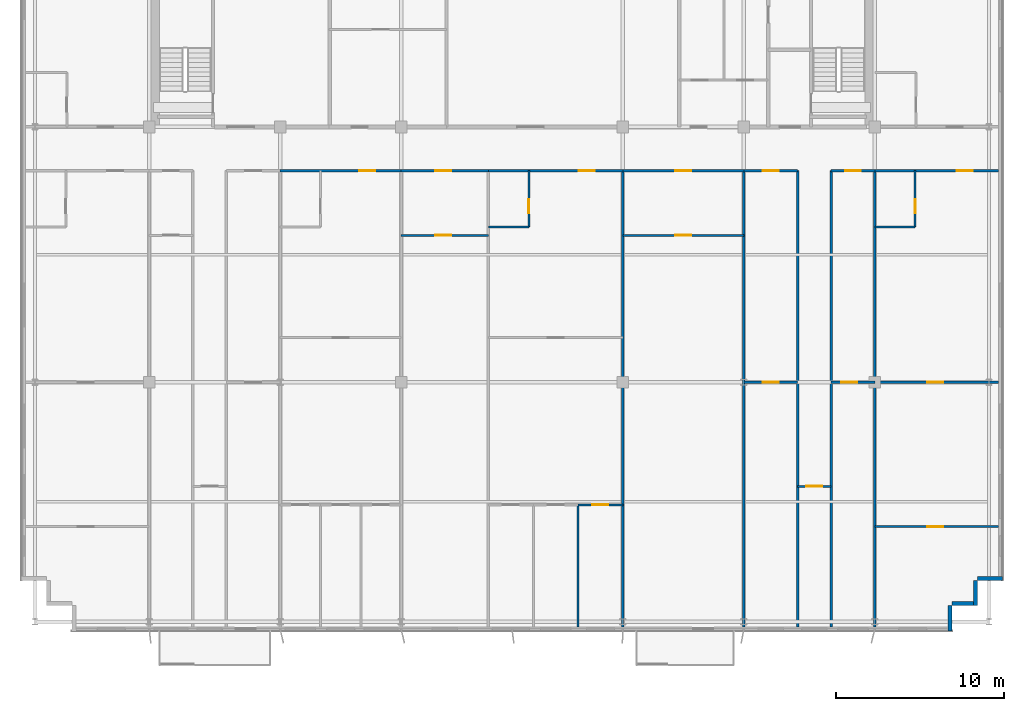
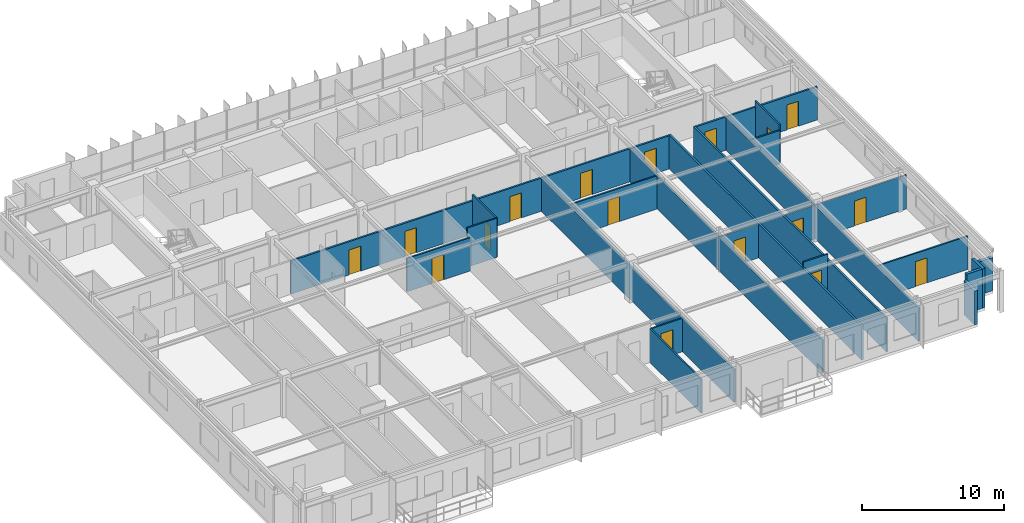
# One storey, part 18 of 23: 29 walls, 17 doors, 17 openings.
"""IFC4 building model written with IfcOpenShell, lengths in metres."""

from ifc_helpers import new_model, si_unit, direction, frame, frame_2d, origin, place, context, subcontext, project, spatial, rectangle, extrude, source, transform, mapped, material, layer, layer_set, type_object, element, fill, save


model = new_model("IFC4")

# Units and contexts
model_context = context("Model", 3, precision=1e-05, world=origin(), true_north=direction((0.0, 1.0)))
body_context = subcontext(model_context, "Body", "Model", "MODEL_VIEW")
ifc_project = project(units=[si_unit("LENGTHUNIT", "METRE"), si_unit("AREAUNIT", "SQUARE_METRE"), si_unit("VOLUMEUNIT", "CUBIC_METRE"), si_unit("PLANEANGLEUNIT", "RADIAN"), si_unit("MASSUNIT", "GRAM", prefix="KILO")], contexts=[model_context])

# Site, building, storey
site_placement = place(None, origin())
site = spatial("IfcSite", under=ifc_project, at=site_placement, CompositionType="ELEMENT")
building_placement = place(site_placement, origin())
building = spatial("IfcBuilding", under=site, at=building_placement, Name="Trelvane Seafront Commons", CompositionType="ELEMENT")
storey_placement = place(building_placement, frame((0.0, 0.0, 208.5)))
storey = spatial("IfcBuildingStorey", under=building, at=storey_placement, Name="L54", CompositionType="ELEMENT", Elevation=208.5)

# Walls
ifc_material_1 = material(Name="Precast concrete C40/50", Category="concrete")
ifc_layer_1 = layer(ifc_material_1, 0.239990234375, Name="ARCH-WALL-EXT240")
ifc_layer_set_1 = layer_set([ifc_layer_1], Name="Precast concrete C40/50")
wall_type_1 = type_object("IfcWallType", Name="ARCH-WALL-EXT240", PredefinedType="SOLIDWALL", material=ifc_layer_set_1)
wall_1_placement = place(storey_placement, frame((66.39990234375, 6.52001953125, 0.0), z_axis=(0.0, 0.0, 1.0), x_axis=(-1.0, 0.0, 0.0)))
element("IfcWall", 1, at=wall_1_placement, inside=storey, type_object=wall_type_1, Name="EW-L54-01093", PredefinedType="SOLIDWALL", context=body_context, shape_type="SweptSolid", body=[
    extrude(rectangle(XDim=1.5, YDim=0.239990234375, at=frame_2d((0.75, 0.0))), origin(), (0.0, 0.0, 1.0), 2.860107421875),
])
for number, where, z_axis, x_axis, name in (
    (2, (64.780029296875, 6.39990234375, 0.0), (0.0, 0.0, 1.0), (0.0, -1.0, 0.0), "EW-L54-01094"),
    (3, (64.89990234375, 5.02001953125, 0.0), (0.0, 0.0, 1.0), (-1.0, 0.0, 0.0), "EW-L54-01095"),
):
    element("IfcWall", number, at=place(storey_placement, frame(where, z_axis=z_axis, x_axis=x_axis)), inside=storey, type_object=wall_type_1, Name=name, PredefinedType="SOLIDWALL", context=body_context, shape_type="SweptSolid", body=[
        extrude(rectangle(XDim=1.5, YDim=0.239990234375, at=frame_2d((0.75, 0.0))), origin(), (0.0, 0.0, 1.0), 3.360107421875),
    ])
wall_2_placement = place(storey_placement, frame((63.280029296875, 4.89990234375, 0.0), z_axis=(0.0, 0.0, 1.0), x_axis=(0.0, -1.0, 0.0)))
element("IfcWall", 4, at=wall_2_placement, inside=storey, type_object=wall_type_1, Name="EW-L54-01096", PredefinedType="SOLIDWALL", context=body_context, shape_type="SweptSolid", body=[
    extrude(rectangle(XDim=1.5, YDim=0.239990234375, at=frame_2d((0.75, 0.0))), origin(), (0.0, 0.0, 1.0), 2.909912109375),
])

# Wall, opening, door
ifc_material_2 = material(Name="Gypsum Drywall Acoustic Partition")
ifc_layer_2 = layer(ifc_material_2, 0.1201171875, Name="ARCH-WALL-PART120")
ifc_layer_set_2 = layer_set([ifc_layer_2], Name="Gypsum Drywall Acoustic Partition")
wall_type_2 = type_object("IfcWallType", Name="ARCH-WALL-PART120", PredefinedType="PARTITIONING", material=ifc_layer_set_2)
wall_3_placement = place(storey_placement, frame((30.60009765625, 26.949951171875, 0.0), z_axis=(0.0, 0.0, 1.0), x_axis=(1.0, 0.0, 0.0)))
wall_3 = element("IfcWall", 5, at=wall_3_placement, inside=storey, type_object=wall_type_2, Name="W-L54-U6-DIV-080", PredefinedType="PARTITIONING", context=body_context, shape_type="SweptSolid", body=[
    extrude(rectangle(XDim=5.199951171875, YDim=0.1201171875, at=frame_2d((2.60009765625, 0.0))), origin(), (0.0, 0.0, 1.0), 2.860107421875),
])
opening_1_placement = place(wall_3_placement, frame((2.032958984375, 0.0, 0.0)))
opening_1 = element("IfcOpeningElement", 6, at=opening_1_placement, cuts=wall_3, Name="Opening D-L54-47", PredefinedType="OPENING", context=body_context, shape_type="SweptSolid", body=[
    extrude(rectangle(XDim=0.949951171875, YDim=2.14990234375, at=frame_2d((0.47509765625, 1.074951171875))), frame((0.0, 0.070068359375, 0.0), z_axis=(0.0, -1.0, 0.0), x_axis=(1.0, 0.0, 0.0)), (0.0, 0.0, 1.0), 0.14013671875),
])
ifc_material_3 = material(Name="Acoustic timber door leaf", Category="wood")
door_type_1 = type_object("IfcDoorType", Name="ARCH-DR-INT950", OperationType="NOTDEFINED", PredefinedType="DOOR", material=ifc_material_3)
shared_shape_1 = source(origin(), body_context, "Body", "SweptSolid", [
    extrude(rectangle(XDim=0.949951171875, YDim=2.14990234375, at=frame_2d((0.47509765625, 1.074951171875))), frame((0.0, 0.02490234375, 0.0), z_axis=(0.0, -1.0, 0.0), x_axis=(1.0, 0.0, 0.0)), (0.0, 0.0, 1.0), 0.050048828125),
])
door_1_placement = place(opening_1_placement, origin())
door_1 = element("IfcDoor", 7, at=door_1_placement, inside=storey, type_object=door_type_1, Name="L54 Door 47", OperationType="SINGLE_SWING_LEFT", OverallHeight=2.14990234375, OverallWidth=0.949951171875, PredefinedType="DOOR", context=body_context, shape_type="MappedRepresentation", body=[
    mapped(shared_shape_1, transform((0.0, 0.0, 0.0), x_axis=(1.0, 0.0, 0.0), y_axis=(0.0, 1.0, 0.0), z_axis=(0.0, 0.0, 1.0), scale=1.0)),
])
fill(opening_1, door_1)

wall_4_placement = place(storey_placement, frame((38.199951171875, 27.449951171875, 0.0), z_axis=(0.0, 0.0, 1.0), x_axis=(0.0, 1.0, 0.0)))
wall_4 = element("IfcWall", 8, at=wall_4_placement, inside=storey, type_object=wall_type_2, Name="W-L54-U7-BE-082", PredefinedType="PARTITIONING", context=body_context, shape_type="SweptSolid", body=[
    extrude(rectangle(XDim=3.35009765625, YDim=0.1201171875, at=frame_2d((1.675048828125, 0.0))), origin(), (0.0, 0.0, 1.0), 3.360107421875),
])
opening_2_placement = place(wall_4_placement, frame((0.800048828125, 0.0, 0.0)))
opening_2 = element("IfcOpeningElement", 9, at=opening_2_placement, cuts=wall_4, Name="Opening D-L54-49", PredefinedType="OPENING", context=body_context, shape_type="SweptSolid", body=[
    extrude(rectangle(XDim=0.85009765625, YDim=2.10009765625, at=frame_2d((0.425048828125, 1.050048828125))), frame((0.0, 0.070068359375, 0.0), z_axis=(0.0, -1.0, 0.0), x_axis=(1.0, 0.0, 0.0)), (0.0, 0.0, 1.0), 0.14013671875),
])
door_type_2 = type_object("IfcDoorType", Name="ARCH-DR-INT850", OperationType="NOTDEFINED", PredefinedType="DOOR", material=ifc_material_3)
shared_shape_2 = source(origin(), body_context, "Body", "SweptSolid", [
    extrude(rectangle(XDim=0.85009765625, YDim=2.10009765625, at=frame_2d((0.425048828125, 1.050048828125))), frame((0.0, 0.02490234375, 0.0), z_axis=(0.0, -1.0, 0.0), x_axis=(1.0, 0.0, 0.0)), (0.0, 0.0, 1.0), 0.050048828125),
])
door_2_placement = place(opening_2_placement, origin())
door_2 = element("IfcDoor", 10, at=door_2_placement, inside=storey, type_object=door_type_2, Name="L54 Door 49", OperationType="SINGLE_SWING_LEFT", OverallHeight=2.10009765625, OverallWidth=0.85009765625, PredefinedType="DOOR", context=body_context, shape_type="MappedRepresentation", body=[
    mapped(shared_shape_2, transform((0.0, 0.0, 0.0), x_axis=(1.0, 0.0, 0.0), y_axis=(0.0, 1.0, 0.0), z_axis=(0.0, 0.0, 1.0), scale=1.0)),
])
fill(opening_2, door_2)

# Wall
wall_5_placement = place(storey_placement, frame((35.800048828125, 27.449951171875, 0.0), z_axis=(0.0, 0.0, 1.0), x_axis=(1.0, 0.0, 0.0)))
element("IfcWall", 11, at=wall_5_placement, inside=storey, type_object=wall_type_2, Name="W-L54-U7-BS-083", PredefinedType="PARTITIONING", context=body_context, shape_type="SweptSolid", body=[
    extrude(rectangle(XDim=2.39990234375, YDim=0.1201171875, at=frame_2d((1.199951171875, 0.0))), origin(), (0.0, 0.0, 1.0), 3.360107421875),
])

# Wall, opening, door
wall_6_placement = place(storey_placement, frame((41.133056640625, 10.89990234375, 0.0), z_axis=(0.0, 0.0, 1.0), x_axis=(1.0, 0.0, 0.0)))
wall_6 = element("IfcWall", 12, at=wall_6_placement, inside=storey, type_object=wall_type_2, Name="W-L54-U7-YM-3-088", PredefinedType="PARTITIONING", context=body_context, shape_type="SweptSolid", body=[
    extrude(rectangle(XDim=2.6669921875, YDim=0.1201171875, at=frame_2d((1.33349609375, 0.0))), origin(), (0.0, 0.0, 1.0), 2.860107421875),
])
opening_3_placement = place(wall_6_placement, frame((0.85791015625, 0.0, 0.0)))
opening_3 = element("IfcOpeningElement", 13, at=opening_3_placement, cuts=wall_6, Name="Opening D-L54-53", PredefinedType="OPENING", context=body_context, shape_type="SweptSolid", body=[
    extrude(rectangle(XDim=0.949951171875, YDim=2.14990234375, at=frame_2d((0.47509765625, 1.074951171875))), frame((0.0, 0.070068359375, 0.0), z_axis=(0.0, -1.0, 0.0), x_axis=(1.0, 0.0, 0.0)), (0.0, 0.0, 1.0), 0.14013671875),
])
door_3_placement = place(opening_3_placement, origin())
door_3 = element("IfcDoor", 14, at=door_3_placement, inside=storey, type_object=door_type_1, Name="L54 Door 53", OperationType="SINGLE_SWING_LEFT", OverallHeight=2.14990234375, OverallWidth=0.949951171875, PredefinedType="DOOR", context=body_context, shape_type="MappedRepresentation", body=[
    mapped(shared_shape_1, transform((0.0, 0.0, 0.0), x_axis=(1.0, 0.0, 0.0), y_axis=(0.0, 1.0, 0.0), z_axis=(0.0, 0.0, 1.0), scale=1.0)),
])
fill(opening_3, door_3)

# Wall
wall_7_placement = place(storey_placement, frame((41.133056640625, 3.625, 0.0), z_axis=(0.0, 0.0, 1.0), x_axis=(0.0, 1.0, 0.0)))
element("IfcWall", 15, at=wall_7_placement, inside=storey, type_object=wall_type_2, Name="W-L54-U7-BDV-2-089", PredefinedType="PARTITIONING", context=body_context, shape_type="SweptSolid", body=[
    extrude(rectangle(XDim=7.27490234375, YDim=0.1201171875, at=frame_2d((3.637451171875, 0.0))), origin(), (0.0, 0.0, 1.0), 2.909912109375),
])

# Wall, opening, door
wall_8_placement = place(storey_placement, frame((43.800048828125, 26.949951171875, 0.0), z_axis=(0.0, 0.0, 1.0), x_axis=(1.0, 0.0, 0.0)))
wall_8 = element("IfcWall", 16, at=wall_8_placement, inside=storey, type_object=wall_type_2, Name="W-L54-U8-DIV-091", PredefinedType="PARTITIONING", context=body_context, shape_type="SweptSolid", body=[
    extrude(rectangle(XDim=7.199951171875, YDim=0.1201171875, at=frame_2d((3.60009765625, 0.0))), origin(), (0.0, 0.0, 1.0), 2.860107421875),
])
opening_4_placement = place(wall_8_placement, frame((3.125, 0.0, 0.0)))
opening_4 = element("IfcOpeningElement", 17, at=opening_4_placement, cuts=wall_8, Name="Opening D-L54-55", PredefinedType="OPENING", context=body_context, shape_type="SweptSolid", body=[
    extrude(rectangle(XDim=0.949951171875, YDim=2.14990234375, at=frame_2d((0.47509765625, 1.074951171875))), frame((0.0, 0.070068359375, 0.0), z_axis=(0.0, -1.0, 0.0), x_axis=(1.0, 0.0, 0.0)), (0.0, 0.0, 1.0), 0.14013671875),
])
door_4_placement = place(opening_4_placement, origin())
door_4 = element("IfcDoor", 18, at=door_4_placement, inside=storey, type_object=door_type_1, Name="L54 Door 55", OperationType="SINGLE_SWING_LEFT", OverallHeight=2.14990234375, OverallWidth=0.949951171875, PredefinedType="DOOR", context=body_context, shape_type="MappedRepresentation", body=[
    mapped(shared_shape_1, transform((0.0, 0.0, 0.0), x_axis=(1.0, 0.0, 0.0), y_axis=(0.0, 1.0, 0.0), z_axis=(0.0, 0.0, 1.0), scale=1.0)),
])
fill(opening_4, door_4)

wall_9_placement = place(storey_placement, frame((51.0, 18.199951171875, 0.0), z_axis=(0.0, 0.0, 1.0), x_axis=(1.0, 0.0, 0.0)))
wall_9 = element("IfcWall", 19, at=wall_9_placement, inside=storey, type_object=wall_type_2, Name="W-L54-U9-DIV-093", PredefinedType="PARTITIONING", context=body_context, shape_type="SweptSolid", body=[
    extrude(rectangle(XDim=3.199951171875, YDim=0.1201171875, at=frame_2d((1.60009765625, 0.0))), origin(), (0.0, 0.0, 1.0), 2.909912109375),
])
opening_5_placement = place(wall_9_placement, frame((1.125, 0.0, 0.0)))
opening_5 = element("IfcOpeningElement", 20, at=opening_5_placement, cuts=wall_9, Name="Opening D-L54-57", PredefinedType="OPENING", context=body_context, shape_type="SweptSolid", body=[
    extrude(rectangle(XDim=0.949951171875, YDim=2.14990234375, at=frame_2d((0.47509765625, 1.074951171875))), frame((0.0, 0.070068359375, 0.0), z_axis=(0.0, -1.0, 0.0), x_axis=(1.0, 0.0, 0.0)), (0.0, 0.0, 1.0), 0.14013671875),
])
door_5_placement = place(opening_5_placement, origin())
door_5 = element("IfcDoor", 21, at=door_5_placement, inside=storey, type_object=door_type_1, Name="L54 Door 57", OperationType="SINGLE_SWING_LEFT", OverallHeight=2.14990234375, OverallWidth=0.949951171875, PredefinedType="DOOR", context=body_context, shape_type="MappedRepresentation", body=[
    mapped(shared_shape_1, transform((0.0, 0.0, 0.0), x_axis=(1.0, 0.0, 0.0), y_axis=(0.0, 1.0, 0.0), z_axis=(0.0, 0.0, 1.0), scale=1.0)),
])
fill(opening_5, door_5)

wall_10_placement = place(storey_placement, frame((54.199951171875, 12.0, 0.0), z_axis=(0.0, 0.0, 1.0), x_axis=(1.0, 0.0, 0.0)))
wall_10 = element("IfcWall", 22, at=wall_10_placement, inside=storey, type_object=wall_type_2, Name="W-L54-ARM-END-10-096", PredefinedType="PARTITIONING", context=body_context, shape_type="SweptSolid", body=[
    extrude(rectangle(XDim=2.0, YDim=0.1201171875, at=frame_2d((1.0, 0.0))), origin(), (0.0, 0.0, 1.0), 3.360107421875),
])
opening_6_placement = place(wall_10_placement, frame((0.52001953125, 0.0, 0.0)))
opening_6 = element("IfcOpeningElement", 23, at=opening_6_placement, cuts=wall_10, Name="Opening D-L54-58", PredefinedType="OPENING", context=body_context, shape_type="SweptSolid", body=[
    extrude(rectangle(XDim=0.949951171875, YDim=2.14990234375, at=frame_2d((0.47509765625, 1.074951171875))), frame((0.0, 0.070068359375, 0.0), z_axis=(0.0, -1.0, 0.0), x_axis=(1.0, 0.0, 0.0)), (0.0, 0.0, 1.0), 0.14013671875),
])
door_6_placement = place(opening_6_placement, origin())
door_6 = element("IfcDoor", 24, at=door_6_placement, inside=storey, type_object=door_type_1, Name="L54 Door 58", OperationType="SINGLE_SWING_RIGHT", OverallHeight=2.14990234375, OverallWidth=0.949951171875, PredefinedType="DOOR", context=body_context, shape_type="MappedRepresentation", body=[
    mapped(shared_shape_1, transform((0.0, 0.0, 0.0), x_axis=(1.0, 0.0, 0.0), y_axis=(0.0, 1.0, 0.0), z_axis=(0.0, 0.0, 1.0), scale=1.0)),
])
fill(opening_6, door_6)

wall_11_placement = place(storey_placement, frame((56.199951171875, 18.199951171875, 0.0), z_axis=(0.0, 0.0, 1.0), x_axis=(1.0, 0.0, 0.0)))
wall_11 = element("IfcWall", 25, at=wall_11_placement, inside=storey, type_object=wall_type_2, Name="W-L54-U11-DIV-098", PredefinedType="PARTITIONING", context=body_context, shape_type="SweptSolid", body=[
    extrude(rectangle(XDim=2.60009765625, YDim=0.1201171875, at=frame_2d((1.300048828125, 0.0))), origin(), (0.0, 0.0, 1.0), 2.909912109375),
])
opening_7_placement = place(wall_11_placement, frame((0.60205078125, 0.0, 0.0)))
opening_7 = element("IfcOpeningElement", 26, at=opening_7_placement, cuts=wall_11, Name="Opening D-L54-60", PredefinedType="OPENING", context=body_context, shape_type="SweptSolid", body=[
    extrude(rectangle(XDim=0.949951171875, YDim=2.14990234375, at=frame_2d((0.47509765625, 1.074951171875))), frame((0.0, 0.070068359375, 0.0), z_axis=(0.0, -1.0, 0.0), x_axis=(1.0, 0.0, 0.0)), (0.0, 0.0, 1.0), 0.14013671875),
])
door_7_placement = place(opening_7_placement, origin())
door_7 = element("IfcDoor", 27, at=door_7_placement, inside=storey, type_object=door_type_1, Name="L54 Door 60", OperationType="SINGLE_SWING_RIGHT", OverallHeight=2.14990234375, OverallWidth=0.949951171875, PredefinedType="DOOR", context=body_context, shape_type="MappedRepresentation", body=[
    mapped(shared_shape_1, transform((0.0, 0.0, 0.0), x_axis=(1.0, 0.0, 0.0), y_axis=(0.0, 1.0, 0.0), z_axis=(0.0, 0.0, 1.0), scale=1.0)),
])
fill(opening_7, door_7)

wall_12_placement = place(storey_placement, frame((58.800048828125, 18.199951171875, 0.0), z_axis=(0.0, 0.0, 1.0), x_axis=(1.0, 0.0, 0.0)))
wall_12 = element("IfcWall", 28, at=wall_12_placement, inside=storey, type_object=wall_type_2, Name="W-L54-U12-KL-099", PredefinedType="PARTITIONING", context=body_context, shape_type="SweptSolid", body=[
    extrude(rectangle(XDim=7.35986328125, YDim=0.1201171875, at=frame_2d((3.679931640625, 0.0))), origin(), (0.0, 0.0, 1.0), 2.909912109375),
])
opening_8_placement = place(wall_12_placement, frame((3.114013671875, 0.0, 0.0)))
opening_8 = element("IfcOpeningElement", 29, at=opening_8_placement, cuts=wall_12, Name="Opening D-L54-61", PredefinedType="OPENING", context=body_context, shape_type="SweptSolid", body=[
    extrude(rectangle(XDim=0.949951171875, YDim=2.14990234375, at=frame_2d((0.47509765625, 1.074951171875))), frame((0.0, 0.070068359375, 0.0), z_axis=(0.0, -1.0, 0.0), x_axis=(1.0, 0.0, 0.0)), (0.0, 0.0, 1.0), 0.14013671875),
])
door_8_placement = place(opening_8_placement, origin())
door_8 = element("IfcDoor", 30, at=door_8_placement, inside=storey, type_object=door_type_1, Name="L54 Door 61", OperationType="SINGLE_SWING_LEFT", OverallHeight=2.14990234375, OverallWidth=0.949951171875, PredefinedType="DOOR", context=body_context, shape_type="MappedRepresentation", body=[
    mapped(shared_shape_1, transform((0.0, 0.0, 0.0), x_axis=(1.0, 0.0, 0.0), y_axis=(0.0, 1.0, 0.0), z_axis=(0.0, 0.0, 1.0), scale=1.0)),
])
fill(opening_8, door_8)

wall_13_placement = place(storey_placement, frame((61.199951171875, 27.449951171875, 0.0), z_axis=(0.0, 0.0, 1.0), x_axis=(0.0, 1.0, 0.0)))
wall_13 = element("IfcWall", 31, at=wall_13_placement, inside=storey, type_object=wall_type_2, Name="W-L54-U12-BE-100", PredefinedType="PARTITIONING", context=body_context, shape_type="SweptSolid", body=[
    extrude(rectangle(XDim=3.35009765625, YDim=0.1201171875, at=frame_2d((1.675048828125, 0.0))), origin(), (0.0, 0.0, 1.0), 3.360107421875),
])
opening_9_placement = place(wall_13_placement, frame((0.800048828125, 0.0, 0.0)))
opening_9 = element("IfcOpeningElement", 32, at=opening_9_placement, cuts=wall_13, Name="Opening D-L54-62", PredefinedType="OPENING", context=body_context, shape_type="SweptSolid", body=[
    extrude(rectangle(XDim=0.85009765625, YDim=2.10009765625, at=frame_2d((0.425048828125, 1.050048828125))), frame((0.0, 0.070068359375, 0.0), z_axis=(0.0, -1.0, 0.0), x_axis=(1.0, 0.0, 0.0)), (0.0, 0.0, 1.0), 0.14013671875),
])
door_9_placement = place(opening_9_placement, origin())
door_9 = element("IfcDoor", 33, at=door_9_placement, inside=storey, type_object=door_type_2, Name="L54 Door 62", OperationType="SINGLE_SWING_RIGHT", OverallHeight=2.10009765625, OverallWidth=0.85009765625, PredefinedType="DOOR", context=body_context, shape_type="MappedRepresentation", body=[
    mapped(shared_shape_2, transform((0.0, 0.0, 0.0), x_axis=(1.0, 0.0, 0.0), y_axis=(0.0, 1.0, 0.0), z_axis=(0.0, 0.0, 1.0), scale=1.0)),
])
fill(opening_9, door_9)

# Wall
wall_14_placement = place(storey_placement, frame((58.800048828125, 27.449951171875, 0.0), z_axis=(0.0, 0.0, 1.0), x_axis=(1.0, 0.0, 0.0)))
element("IfcWall", 34, at=wall_14_placement, inside=storey, type_object=wall_type_2, Name="W-L54-U12-BS-101", PredefinedType="PARTITIONING", context=body_context, shape_type="SweptSolid", body=[
    extrude(rectangle(XDim=2.39990234375, YDim=0.1201171875, at=frame_2d((1.199951171875, 0.0))), origin(), (0.0, 0.0, 1.0), 2.860107421875),
])

# Wall, opening, door
wall_15_placement = place(storey_placement, frame((58.800048828125, 9.60009765625, 0.0), z_axis=(0.0, 0.0, 1.0), x_axis=(1.0, 0.0, 0.0)))
wall_15 = element("IfcWall", 35, at=wall_15_placement, inside=storey, type_object=wall_type_2, Name="W-L54-U12-YM-1-103", PredefinedType="PARTITIONING", context=body_context, shape_type="SweptSolid", body=[
    extrude(rectangle(XDim=7.35986328125, YDim=0.1201171875, at=frame_2d((3.679931640625, 0.0))), origin(), (0.0, 0.0, 1.0), 2.860107421875),
])
opening_10_placement = place(wall_15_placement, frame((3.114013671875, 0.0, 0.0)))
opening_10 = element("IfcOpeningElement", 36, at=opening_10_placement, cuts=wall_15, Name="Opening D-L54-64", PredefinedType="OPENING", context=body_context, shape_type="SweptSolid", body=[
    extrude(rectangle(XDim=0.949951171875, YDim=2.14990234375, at=frame_2d((0.47509765625, 1.074951171875))), frame((0.0, 0.070068359375, 0.0), z_axis=(0.0, -1.0, 0.0), x_axis=(1.0, 0.0, 0.0)), (0.0, 0.0, 1.0), 0.14013671875),
])
door_10_placement = place(opening_10_placement, origin())
door_10 = element("IfcDoor", 37, at=door_10_placement, inside=storey, type_object=door_type_1, Name="L54 Door 64", OperationType="SINGLE_SWING_RIGHT", OverallHeight=2.14990234375, OverallWidth=0.949951171875, PredefinedType="DOOR", context=body_context, shape_type="MappedRepresentation", body=[
    mapped(shared_shape_1, transform((0.0, 0.0, 0.0), x_axis=(1.0, 0.0, 0.0), y_axis=(0.0, 1.0, 0.0), z_axis=(0.0, 0.0, 1.0), scale=1.0)),
])
fill(opening_10, door_10)

# Walls
ifc_layer_3 = layer(ifc_material_2, 0.14990234375, Name="ARCH-WALL-PART150")
ifc_layer_set_3 = layer_set([ifc_layer_3], Name="Gypsum Drywall Acoustic Partition")
wall_type_3 = type_object("IfcWallType", Name="ARCH-WALL-PART150", PredefinedType="PARTITIONING", material=ifc_layer_set_3)
for number, where, z_axis, x_axis, name in (
    (38, (43.800048828125, 3.625, 0.0), (0.0, 0.0, 1.0), (0.0, 1.0, 0.0), "W-L54-PW-7-055"),
    (39, (51.0, 3.625, 0.0), (0.0, 0.0, 1.0), (0.0, 1.0, 0.0), "W-L54-PW-8-056"),
    (40, (58.800048828125, 3.625, 0.0), (0.0, 0.0, 1.0), (0.0, 1.0, 0.0), "W-L54-PW-11-057"),
):
    element("IfcWall", number, at=place(storey_placement, frame(where, z_axis=z_axis, x_axis=x_axis)), inside=storey, type_object=wall_type_3, Name=name, PredefinedType="PARTITIONING", context=body_context, shape_type="SweptSolid", body=[
        extrude(rectangle(XDim=27.175048828125, YDim=0.14990234375, at=frame_2d((13.58740234375, 0.0))), origin(), (0.0, 0.0, 1.0), 2.860107421875),
    ])

# Wall, opening, door
wall_16_placement = place(storey_placement, frame((23.39990234375, 30.800048828125, 0.0), z_axis=(0.0, 0.0, 1.0), x_axis=(1.0, 0.0, 0.0)))
wall_16 = element("IfcWall", 41, at=wall_16_placement, inside=storey, type_object=wall_type_3, Name="W-L54-CS-BAY-5-073", PredefinedType="PARTITIONING", context=body_context, shape_type="SweptSolid", body=[
    extrude(rectangle(XDim=7.2001953125, YDim=0.14990234375, at=frame_2d((3.60009765625, 0.0))), origin(), (0.0, 0.0, 1.0), 2.860107421875),
])
opening_11_placement = place(wall_16_placement, frame((4.7060546875, 0.0, 0.0)))
opening_11 = element("IfcOpeningElement", 42, at=opening_11_placement, cuts=wall_16, Name="Opening FD-L54-42", PredefinedType="OPENING", context=body_context, shape_type="SweptSolid", body=[
    extrude(rectangle(XDim=0.949951171875, YDim=2.14990234375, at=frame_2d((0.47509765625, 1.074951171875))), frame((0.0, 0.0849609375, 0.0), z_axis=(0.0, -1.0, 0.0), x_axis=(1.0, 0.0, 0.0)), (0.0, 0.0, 1.0), 0.169921875),
])
ifc_material_4 = material(Name="Powder-coated aluminium frame", Category="aluminium")
door_type_3 = type_object("IfcDoorType", Name="ARCH-DR-FD60-950", OperationType="NOTDEFINED", PredefinedType="DOOR", material=ifc_material_4)
door_11_placement = place(opening_11_placement, origin())
door_11 = element("IfcDoor", 43, at=door_11_placement, inside=storey, type_object=door_type_3, Name="L54 Unit 05 Entrance Door", OperationType="SINGLE_SWING_RIGHT", OverallHeight=2.14990234375, OverallWidth=0.949951171875, PredefinedType="DOOR", context=body_context, shape_type="MappedRepresentation", body=[
    mapped(shared_shape_1, transform((0.0, 0.0, 0.0), x_axis=(1.0, 0.0, 0.0), y_axis=(0.0, 1.0, 0.0), z_axis=(0.0, 0.0, 1.0), scale=1.0)),
])
fill(opening_11, door_11)

wall_17_placement = place(storey_placement, frame((30.60009765625, 30.800048828125, 0.0), z_axis=(0.0, 0.0, 1.0), x_axis=(1.0, 0.0, 0.0)))
wall_17 = element("IfcWall", 44, at=wall_17_placement, inside=storey, type_object=wall_type_3, Name="W-L54-CS-BAY-6-079", PredefinedType="PARTITIONING", context=body_context, shape_type="SweptSolid", body=[
    extrude(rectangle(XDim=5.199951171875, YDim=0.14990234375, at=frame_2d((2.60009765625, 0.0))), origin(), (0.0, 0.0, 1.0), 2.860107421875),
])
opening_12_placement = place(wall_17_placement, frame((2.032958984375, 0.0, 0.0)))
opening_12 = element("IfcOpeningElement", 45, at=opening_12_placement, cuts=wall_17, Name="Opening FD-L54-46", PredefinedType="OPENING", context=body_context, shape_type="SweptSolid", body=[
    extrude(rectangle(XDim=0.949951171875, YDim=2.14990234375, at=frame_2d((0.47509765625, 1.074951171875))), frame((0.0, 0.0849609375, 0.0), z_axis=(0.0, -1.0, 0.0), x_axis=(1.0, 0.0, 0.0)), (0.0, 0.0, 1.0), 0.169921875),
])
door_12_placement = place(opening_12_placement, origin())
door_12 = element("IfcDoor", 46, at=door_12_placement, inside=storey, type_object=door_type_3, Name="L54 Bay 06 Entrance Door", OperationType="SINGLE_SWING_RIGHT", OverallHeight=2.14990234375, OverallWidth=0.949951171875, PredefinedType="DOOR", context=body_context, shape_type="MappedRepresentation", body=[
    mapped(shared_shape_1, transform((0.0, 0.0, 0.0), x_axis=(1.0, 0.0, 0.0), y_axis=(0.0, 1.0, 0.0), z_axis=(0.0, 0.0, 1.0), scale=1.0)),
])
fill(opening_12, door_12)

wall_18_placement = place(storey_placement, frame((35.800048828125, 30.800048828125, 0.0), z_axis=(0.0, 0.0, 1.0), x_axis=(1.0, 0.0, 0.0)))
wall_18 = element("IfcWall", 47, at=wall_18_placement, inside=storey, type_object=wall_type_3, Name="W-L54-CS-BAY-7-084", PredefinedType="PARTITIONING", context=body_context, shape_type="SweptSolid", body=[
    extrude(rectangle(XDim=8.0, YDim=0.14990234375, at=frame_2d((4.0, 0.0))), origin(), (0.0, 0.0, 1.0), 2.860107421875),
])
opening_13_placement = place(wall_18_placement, frame((5.366943359375, 0.0, 0.0)))
opening_13 = element("IfcOpeningElement", 48, at=opening_13_placement, cuts=wall_18, Name="Opening FD-L54-50", PredefinedType="OPENING", context=body_context, shape_type="SweptSolid", body=[
    extrude(rectangle(XDim=0.949951171875, YDim=2.14990234375, at=frame_2d((0.47509765625, 1.074951171875))), frame((0.0, 0.0849609375, 0.0), z_axis=(0.0, -1.0, 0.0), x_axis=(1.0, 0.0, 0.0)), (0.0, 0.0, 1.0), 0.169921875),
])
door_13_placement = place(opening_13_placement, origin())
door_13 = element("IfcDoor", 49, at=door_13_placement, inside=storey, type_object=door_type_3, Name="L54 Unit 07 Entrance Door", OperationType="SINGLE_SWING_RIGHT", OverallHeight=2.14990234375, OverallWidth=0.949951171875, PredefinedType="DOOR", context=body_context, shape_type="MappedRepresentation", body=[
    mapped(shared_shape_1, transform((0.0, 0.0, 0.0), x_axis=(1.0, 0.0, 0.0), y_axis=(0.0, 1.0, 0.0), z_axis=(0.0, 0.0, 1.0), scale=1.0)),
])
fill(opening_13, door_13)

wall_19_placement = place(storey_placement, frame((43.800048828125, 30.800048828125, 0.0), z_axis=(0.0, 0.0, 1.0), x_axis=(1.0, 0.0, 0.0)))
wall_19 = element("IfcWall", 50, at=wall_19_placement, inside=storey, type_object=wall_type_3, Name="W-L54-CS-BAY-8-090", PredefinedType="PARTITIONING", context=body_context, shape_type="SweptSolid", body=[
    extrude(rectangle(XDim=7.199951171875, YDim=0.14990234375, at=frame_2d((3.60009765625, 0.0))), origin(), (0.0, 0.0, 1.0), 2.860107421875),
])
opening_14_placement = place(wall_19_placement, frame((3.125, 0.0, 0.0)))
opening_14 = element("IfcOpeningElement", 51, at=opening_14_placement, cuts=wall_19, Name="Opening FD-L54-54", PredefinedType="OPENING", context=body_context, shape_type="SweptSolid", body=[
    extrude(rectangle(XDim=0.949951171875, YDim=2.14990234375, at=frame_2d((0.47509765625, 1.074951171875))), frame((0.0, 0.0849609375, 0.0), z_axis=(0.0, -1.0, 0.0), x_axis=(1.0, 0.0, 0.0)), (0.0, 0.0, 1.0), 0.169921875),
])
door_14_placement = place(opening_14_placement, origin())
door_14 = element("IfcDoor", 52, at=door_14_placement, inside=storey, type_object=door_type_3, Name="L54 Bay 08 Entrance Door", OperationType="SINGLE_SWING_RIGHT", OverallHeight=2.14990234375, OverallWidth=0.949951171875, PredefinedType="DOOR", context=body_context, shape_type="MappedRepresentation", body=[
    mapped(shared_shape_1, transform((0.0, 0.0, 0.0), x_axis=(1.0, 0.0, 0.0), y_axis=(0.0, 1.0, 0.0), z_axis=(0.0, 0.0, 1.0), scale=1.0)),
])
fill(opening_14, door_14)

wall_20_placement = place(storey_placement, frame((51.0, 30.800048828125, 0.0), z_axis=(0.0, 0.0, 1.0), x_axis=(1.0, 0.0, 0.0)))
wall_20 = element("IfcWall", 53, at=wall_20_placement, inside=storey, type_object=wall_type_3, Name="W-L54-CS-BAY-9-092", PredefinedType="PARTITIONING", context=body_context, shape_type="SweptSolid", body=[
    extrude(rectangle(XDim=3.199951171875, YDim=0.14990234375, at=frame_2d((1.60009765625, 0.0))), origin(), (0.0, 0.0, 1.0), 2.860107421875),
])
opening_15_placement = place(wall_20_placement, frame((1.125, 0.0, 0.0)))
opening_15 = element("IfcOpeningElement", 54, at=opening_15_placement, cuts=wall_20, Name="Opening FD-L54-56", PredefinedType="OPENING", context=body_context, shape_type="SweptSolid", body=[
    extrude(rectangle(XDim=0.949951171875, YDim=2.14990234375, at=frame_2d((0.47509765625, 1.074951171875))), frame((0.0, 0.0849609375, 0.0), z_axis=(0.0, -1.0, 0.0), x_axis=(1.0, 0.0, 0.0)), (0.0, 0.0, 1.0), 0.169921875),
])
door_15_placement = place(opening_15_placement, origin())
door_15 = element("IfcDoor", 55, at=door_15_placement, inside=storey, type_object=door_type_3, Name="L54 Bay 09 Entrance Door", OperationType="SINGLE_SWING_RIGHT", OverallHeight=2.14990234375, OverallWidth=0.949951171875, PredefinedType="DOOR", context=body_context, shape_type="MappedRepresentation", body=[
    mapped(shared_shape_1, transform((0.0, 0.0, 0.0), x_axis=(1.0, 0.0, 0.0), y_axis=(0.0, 1.0, 0.0), z_axis=(0.0, 0.0, 1.0), scale=1.0)),
])
fill(opening_15, door_15)

# Walls
for number, where, z_axis, x_axis, name in (
    (56, (54.199951171875, 3.625, 0.0), (0.0, 0.0, 1.0), (0.0, 1.0, 0.0), "W-L54-ARM-W-10-094"),
    (57, (56.199951171875, 3.625, 0.0), (0.0, 0.0, 1.0), (0.0, 1.0, 0.0), "W-L54-ARM-E-10-095"),
):
    element("IfcWall", number, at=place(storey_placement, frame(where, z_axis=z_axis, x_axis=x_axis)), inside=storey, type_object=wall_type_3, Name=name, PredefinedType="PARTITIONING", context=body_context, shape_type="SweptSolid", body=[
        extrude(rectangle(XDim=27.175048828125, YDim=0.14990234375, at=frame_2d((13.58740234375, 0.0))), origin(), (0.0, 0.0, 1.0), 2.909912109375),
    ])

# Wall, opening, door
wall_21_placement = place(storey_placement, frame((56.199951171875, 30.800048828125, 0.0), z_axis=(0.0, 0.0, 1.0), x_axis=(1.0, 0.0, 0.0)))
wall_21 = element("IfcWall", 58, at=wall_21_placement, inside=storey, type_object=wall_type_3, Name="W-L54-CS-BAY-11-097", PredefinedType="PARTITIONING", context=body_context, shape_type="SweptSolid", body=[
    extrude(rectangle(XDim=2.60009765625, YDim=0.14990234375, at=frame_2d((1.300048828125, 0.0))), origin(), (0.0, 0.0, 1.0), 2.860107421875),
])
opening_16_placement = place(wall_21_placement, frame((0.824951171875, 0.0, 0.0)))
opening_16 = element("IfcOpeningElement", 59, at=opening_16_placement, cuts=wall_21, Name="Opening FD-L54-59", PredefinedType="OPENING", context=body_context, shape_type="SweptSolid", body=[
    extrude(rectangle(XDim=0.949951171875, YDim=2.14990234375, at=frame_2d((0.47509765625, 1.074951171875))), frame((0.0, 0.0849609375, 0.0), z_axis=(0.0, -1.0, 0.0), x_axis=(1.0, 0.0, 0.0)), (0.0, 0.0, 1.0), 0.169921875),
])
door_16_placement = place(opening_16_placement, origin())
door_16 = element("IfcDoor", 60, at=door_16_placement, inside=storey, type_object=door_type_3, Name="L54 Bay 11 Entrance Door", OperationType="SINGLE_SWING_LEFT", OverallHeight=2.14990234375, OverallWidth=0.949951171875, PredefinedType="DOOR", context=body_context, shape_type="MappedRepresentation", body=[
    mapped(shared_shape_1, transform((0.0, 0.0, 0.0), x_axis=(1.0, 0.0, 0.0), y_axis=(0.0, 1.0, 0.0), z_axis=(0.0, 0.0, 1.0), scale=1.0)),
])
fill(opening_16, door_16)

wall_22_placement = place(storey_placement, frame((58.800048828125, 30.800048828125, 0.0), z_axis=(0.0, 0.0, 1.0), x_axis=(1.0, 0.0, 0.0)))
wall_22 = element("IfcWall", 61, at=wall_22_placement, inside=storey, type_object=wall_type_3, Name="W-L54-CS-BAY-12-102", PredefinedType="PARTITIONING", context=body_context, shape_type="SweptSolid", body=[
    extrude(rectangle(XDim=7.375, YDim=0.14990234375, at=frame_2d((3.6875, 0.0))), origin(), (0.0, 0.0, 1.0), 2.860107421875),
])
opening_17_placement = place(wall_22_placement, frame((4.876953125, 0.0, 0.0)))
opening_17 = element("IfcOpeningElement", 62, at=opening_17_placement, cuts=wall_22, Name="Opening FD-L54-63", PredefinedType="OPENING", context=body_context, shape_type="SweptSolid", body=[
    extrude(rectangle(XDim=0.949951171875, YDim=2.14990234375, at=frame_2d((0.47509765625, 1.074951171875))), frame((0.0, 0.0849609375, 0.0), z_axis=(0.0, -1.0, 0.0), x_axis=(1.0, 0.0, 0.0)), (0.0, 0.0, 1.0), 0.169921875),
])
door_17_placement = place(opening_17_placement, origin())
door_17 = element("IfcDoor", 63, at=door_17_placement, inside=storey, type_object=door_type_3, Name="L54 Unit 12 Entrance Door", OperationType="SINGLE_SWING_LEFT", OverallHeight=2.14990234375, OverallWidth=0.949951171875, PredefinedType="DOOR", context=body_context, shape_type="MappedRepresentation", body=[
    mapped(shared_shape_1, transform((0.0, 0.0, 0.0), x_axis=(1.0, 0.0, 0.0), y_axis=(0.0, 1.0, 0.0), z_axis=(0.0, 0.0, 1.0), scale=1.0)),
])
fill(opening_17, door_17)

save(model, "model.ifc")
